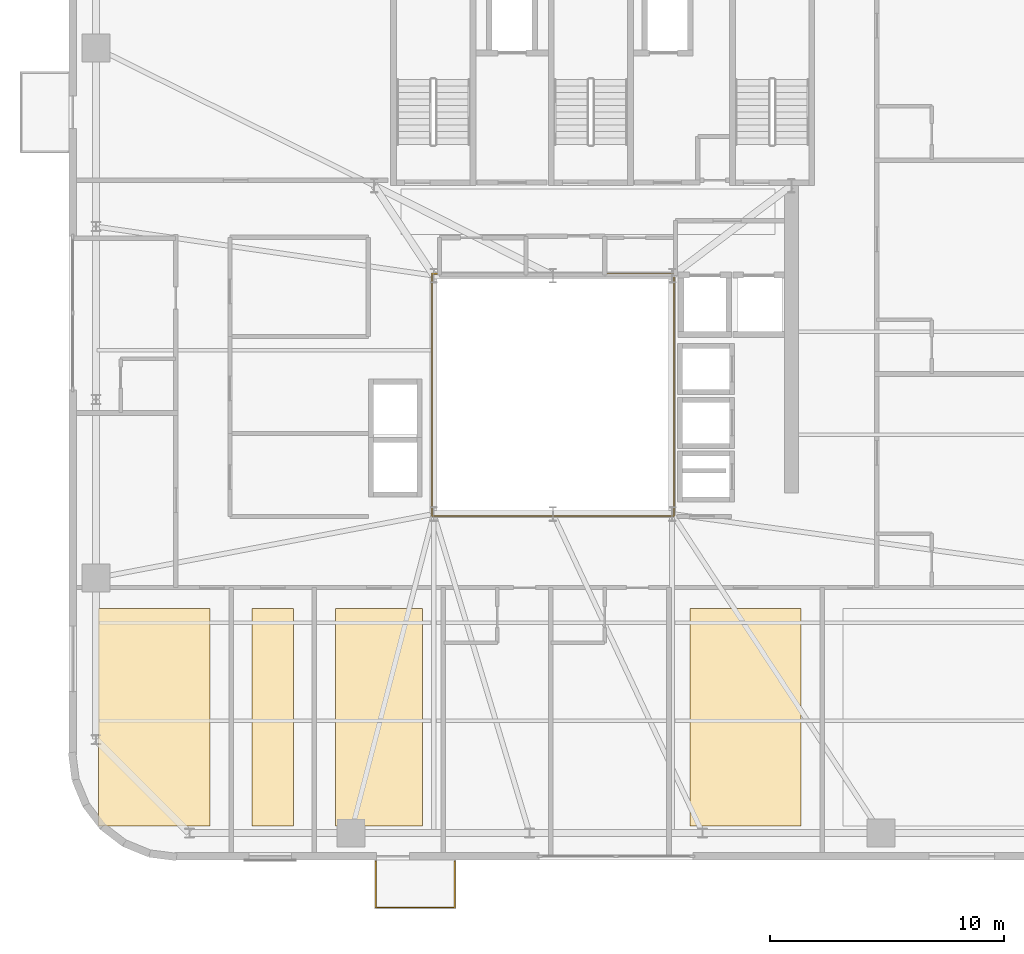
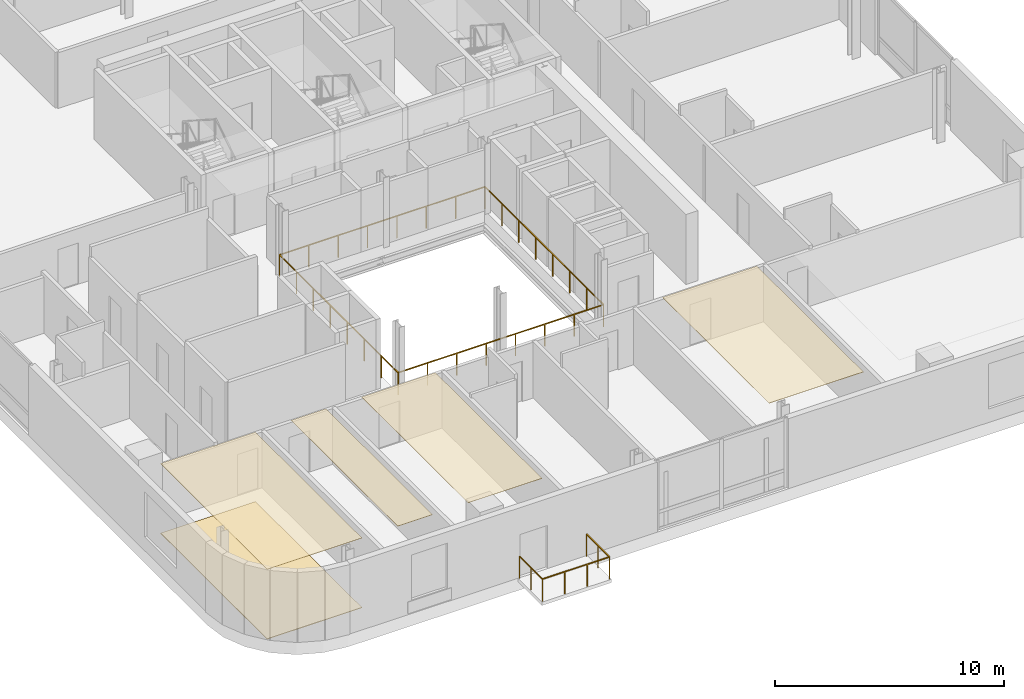
# One storey, part 12 of 15: 5 coverings, 2 railings.
"""IFC4 building model written with IfcOpenShell, lengths in metres."""

import ifcopenshell
import ifcopenshell.guid

model = None  # the IFC model being written
_history = None  # IfcOwnerHistory: only IFC2X3 demands one
_inside = {}  # id of a spatial element -> (the spatial element, [elements in it])
_under = {}  # id of a project, library or spatial element -> (it, [spatial elements below it])
_declared = {}  # id of a project -> (the project, [libraries it declares])
_typed = {}  # id of a type object -> (the type object, [elements of that type])
_made_of = {}  # id of a material, layer set ... -> (it, [elements and type objects made of it])


def new_model(schema):
    """Start an empty IFC model of exactly this schema.

    Asked for "IFC4X3", IfcOpenShell would pick the latest addendum, in which some entities
    have other attributes; the version numbers below select the first issue.
    IFC2X3 requires an IfcOwnerHistory on every rooted entity: one is made here for all.
    """
    global model, _history
    if schema == "IFC4X3":
        model = ifcopenshell.file(schema_version=(4, 3, 0, 0))
    else:
        model = ifcopenshell.file(schema=schema)
    _inside.clear()
    _under.clear()
    _declared.clear()
    _typed.clear()
    _made_of.clear()
    _history = None
    if model.schema == "IFC2X3":
        org = make("IfcOrganization", Name="unknown")
        user = make(
            "IfcPersonAndOrganization",
            ThePerson=make("IfcPerson", FamilyName="unknown"),
            TheOrganization=org,
        )
        app = make(
            "IfcApplication",
            ApplicationDeveloper=org,
            Version="unknown",
            ApplicationFullName="unknown",
            ApplicationIdentifier="unknown",
        )
        _history = make(
            "IfcOwnerHistory",
            OwningUser=user,
            OwningApplication=app,
            ChangeAction="ADDED",
            CreationDate=0,
        )
    return model


def make(cls, **values):
    """One entity of the class cls with the attributes given. An attribute that is None is left unset."""
    return model.create_entity(
        cls, **{name: value for name, value in values.items() if value is not None}
    )


def rooted(cls, **values):
    """An entity with a GlobalId (a new one), such as an element, a storey or a relation."""
    return make(cls, GlobalId=ifcopenshell.guid.new(), OwnerHistory=_history, **values)


def si_unit(unit_type, name, prefix=None):
    """IfcSIUnit, for example si_unit("LENGTHUNIT", "METRE", prefix="MILLI")."""
    return make("IfcSIUnit", UnitType=unit_type, Prefix=prefix, Name=name)


def assignment(units):
    """IfcUnitAssignment: the units of a project."""
    return None if units is None else make("IfcUnitAssignment", Units=units)


def point(xyz):
    """IfcCartesianPoint."""
    return None if xyz is None else make("IfcCartesianPoint", Coordinates=xyz)


def direction(xyz):
    """IfcDirection."""
    return None if xyz is None else make("IfcDirection", DirectionRatios=xyz)


def frame(location, z_axis=None, x_axis=None):
    """IfcAxis2Placement3D, a coordinate frame: its origin and axes. An axis left out is left unset."""
    return make(
        "IfcAxis2Placement3D",
        Location=point(location),
        Axis=direction(z_axis),
        RefDirection=direction(x_axis),
    )


def frame_2d(location, x_axis=None):
    """IfcAxis2Placement2D, a coordinate frame in the plane: its origin and x axis."""
    return make(
        "IfcAxis2Placement2D", Location=point(location), RefDirection=direction(x_axis)
    )


def origin():
    """The frame at (0, 0, 0) with its axes left unset."""
    return frame((0.0, 0.0, 0.0))


def origin_2d():
    """The frame at (0, 0) in the plane with its x axis left unset."""
    return frame_2d((0.0, 0.0))


def place(relative_to, where):
    """IfcLocalPlacement: puts the frame where relative to a parent placement (None: the world)."""
    return make(
        "IfcLocalPlacement", PlacementRelTo=relative_to, RelativePlacement=where
    )


def context(
    kind, dimensions, precision=None, world=None, true_north=None, identifier=None
):
    """IfcGeometricRepresentationContext, for example the 3D "Model" context."""
    return make(
        "IfcGeometricRepresentationContext",
        ContextIdentifier=identifier,
        ContextType=kind,
        CoordinateSpaceDimension=dimensions,
        Precision=precision,
        WorldCoordinateSystem=world,
        TrueNorth=true_north,
    )


def subcontext(parent, identifier, kind, view, scale=None):
    """IfcGeometricRepresentationSubContext, for example "Body" below "Model"."""
    return make(
        "IfcGeometricRepresentationSubContext",
        ContextIdentifier=identifier,
        ContextType=kind,
        ParentContext=parent,
        TargetScale=scale,
        TargetView=view,
    )


def project(units=None, contexts=None):
    """IfcProject with its units and contexts."""
    return rooted(
        "IfcProject",
        Name="project",
        RepresentationContexts=contexts,
        UnitsInContext=assignment(units),
    )


def spatial(cls, under=None, at=None, **own):
    """A site, building, storey or space (cls), placed at a placement, below another one or the project."""
    s = rooted(cls, ObjectPlacement=at, **own)
    if under is not None:
        _under.setdefault(under.id(), (under, []))[1].append(s)
    return s


def polyline(points):
    """IfcPolyline through the points."""
    return make("IfcPolyline", Points=[point(p) for p in points])


def profile(cls, at=None, kind="AREA", **sizes):
    """A parametric profile (cls). Its sizes go by their IFC names, for example OverallWidth=200.0."""
    return make(cls, ProfileType=kind, Position=at, **sizes)


def rectangle(**sizes):
    """IfcRectangleProfileDef."""
    return profile("IfcRectangleProfileDef", **sizes)


def outline(outer, holes=None, kind="AREA"):
    """IfcArbitraryClosedProfileDef: a profile drawn as a closed curve; with holes, ...WithVoids."""
    if holes is None:
        return make("IfcArbitraryClosedProfileDef", ProfileType=kind, OuterCurve=outer)
    return make(
        "IfcArbitraryProfileDefWithVoids",
        ProfileType=kind,
        OuterCurve=outer,
        InnerCurves=holes,
    )


def extrude(swept, where, along, depth):
    """IfcExtrudedAreaSolid: the profile swept, set in the frame where, extruded along a direction by depth."""
    return make(
        "IfcExtrudedAreaSolid",
        SweptArea=swept,
        Position=where,
        ExtrudedDirection=direction(along),
        Depth=depth,
    )


def shape(context_of_items, identifier, shape_type, items):
    """IfcShapeRepresentation: the items that make up one representation, for example the "Body"."""
    return make(
        "IfcShapeRepresentation",
        ContextOfItems=context_of_items,
        RepresentationIdentifier=identifier,
        RepresentationType=shape_type,
        Items=items,
    )


def source(mapping_origin, context_of_items, identifier, shape_type, items):
    """IfcRepresentationMap: a shape defined once, which mapped items show again and again."""
    return make(
        "IfcRepresentationMap",
        MappingOrigin=mapping_origin,
        MappedRepresentation=shape(context_of_items, identifier, shape_type, items),
    )


def transform(
    local_origin,
    x_axis=None,
    y_axis=None,
    z_axis=None,
    scale=None,
    scale2=None,
    scale3=None,
    uniform=True,
):
    """IfcCartesianTransformationOperator3D, or its non-uniform kind. x_axis, y_axis, z_axis: its Axis1, 2, 3."""
    if uniform:
        return make(
            "IfcCartesianTransformationOperator3D",
            Axis1=direction(x_axis),
            Axis2=direction(y_axis),
            LocalOrigin=point(local_origin),
            Scale=scale,
            Axis3=direction(z_axis),
        )
    return make(
        "IfcCartesianTransformationOperator3DnonUniform",
        Axis1=direction(x_axis),
        Axis2=direction(y_axis),
        LocalOrigin=point(local_origin),
        Scale=scale,
        Axis3=direction(z_axis),
        Scale2=scale2,
        Scale3=scale3,
    )


def mapped(mapping_source, mapping_target):
    """IfcMappedItem: shows the shape of a source again, moved by a transform."""
    return make(
        "IfcMappedItem", MappingSource=mapping_source, MappingTarget=mapping_target
    )


def material(Name=None, Category=None):
    """IfcMaterial."""
    return make("IfcMaterial", Name=Name, Category=Category)


def layer(
    of_material, thickness, ventilated=None, Name=None, Category=None, Priority=None
):
    """IfcMaterialLayer: one layer of a wall or slab, of a material (None: an air gap)."""
    return make(
        "IfcMaterialLayer",
        Material=of_material,
        LayerThickness=thickness,
        IsVentilated=ventilated,
        Name=Name,
        Category=Category,
        Priority=Priority,
    )


def layer_set(layers, Name=None):
    """IfcMaterialLayerSet."""
    return make("IfcMaterialLayerSet", MaterialLayers=layers, LayerSetName=Name)


def made_of(thing, what):
    """Note that an element or type object is made of a material, layer set ...; save() writes the relation."""
    if what is not None:
        _made_of.setdefault(what.id(), (what, []))[1].append(thing)
    return thing


def type_object(cls, material=None, **own):
    """A type object (cls), such as IfcWallType, which elements share."""
    return made_of(rooted(cls, **own), material)


def element(
    cls,
    number,
    at=None,
    inside=None,
    cuts=None,
    type_object=None,
    material=None,
    context=None,
    identifier="Body",
    shape_type=None,
    held_by="IfcProductDefinitionShape",
    body=None,
    shapes=None,
    **own,
):
    """One element of the class cls, such as IfcWall. Its Tag is "e" and its number.

    at: its placement. inside: the storey or other place that contains it. cuts: it is an
    opening in that element (IfcRelVoidsElement). A single representation is given by context,
    identifier, shape_type and body (its items); several are given by shapes. held_by: the class
    of the entity that holds the representations. save() writes the other relations.
    """
    e = rooted(cls, Tag="e%d" % number, ObjectPlacement=at, **own)
    if body is not None:
        shapes = [shape(context, identifier, shape_type, body)]
    if shapes is not None:
        e.Representation = make(held_by, Representations=shapes)
    if inside is not None:
        _inside.setdefault(inside.id(), (inside, []))[1].append(e)
    if cuts is not None:
        rooted(
            "IfcRelVoidsElement", RelatingBuildingElement=cuts, RelatedOpeningElement=e
        )
    if type_object is not None:
        _typed.setdefault(type_object.id(), (type_object, []))[1].append(e)
    return made_of(e, material)


def aggregate(whole, parts):
    """IfcRelAggregates: a whole, such as a stair, and the parts it consists of."""
    return rooted("IfcRelAggregates", RelatingObject=whole, RelatedObjects=parts)


def save(model, path):
    """Write the relations noted so far, then the file.

    IfcRelAggregates (storeys below a building ...), IfcRelContainedInSpatialStructure (elements
    in a storey), IfcRelDefinesByType, IfcRelAssociatesMaterial and IfcRelDeclares: one each for
    every whole, place, type object, material and project.
    """
    for whole, parts in _under.values():
        aggregate(whole, parts)
    for where, things in _inside.values():
        rooted(
            "IfcRelContainedInSpatialStructure",
            RelatedElements=things,
            RelatingStructure=where,
        )
    for kind, things in _typed.values():
        rooted("IfcRelDefinesByType", RelatedObjects=things, RelatingType=kind)
    for what, things in _made_of.values():
        rooted("IfcRelAssociatesMaterial", RelatedObjects=things, RelatingMaterial=what)
    for by, libraries in _declared.values():
        rooted("IfcRelDeclares", RelatingContext=by, RelatedDefinitions=libraries)
    model.write(path)


model = new_model("IFC4")

# Units and contexts
model_context = context("Model", 3, precision=1e-05, world=origin(), true_north=direction((0.0, 1.0)))
body_context = subcontext(model_context, "Body", "Model", "MODEL_VIEW")
ifc_project = project(units=[si_unit("LENGTHUNIT", "METRE"), si_unit("AREAUNIT", "SQUARE_METRE"), si_unit("VOLUMEUNIT", "CUBIC_METRE"), si_unit("PLANEANGLEUNIT", "RADIAN"), si_unit("MASSUNIT", "GRAM", prefix="KILO")], contexts=[model_context])

# Site, building, storey
site_placement = place(None, origin())
site = spatial("IfcSite", under=ifc_project, at=site_placement, CompositionType="ELEMENT")
building_placement = place(site_placement, origin())
building = spatial("IfcBuilding", under=site, at=building_placement, Name="Vardaveli Station Tower", CompositionType="ELEMENT")
storey_placement = place(building_placement, frame((0.0, 0.0, 242.699951171875)))
storey = spatial("IfcBuildingStorey", under=building, at=storey_placement, Name="L62", CompositionType="ELEMENT", Elevation=242.699951171875)

# Coverings
ifc_material_1 = material(Name="Perforated acoustic mineral ceiling")
ifc_layer_1 = layer(ifc_material_1, 0.02001953125, Name="Perforated acoustic mineral ceiling")
ifc_layer_set_1 = layer_set([ifc_layer_1], Name="Perforated acoustic mineral ceiling")
covering_type_1 = type_object("IfcCoveringType", Name="COV-CEIL-AC20", PredefinedType="CEILING", material=ifc_layer_set_1)
covering_1_placement = place(storey_placement, frame((0.0, 0.0, 3.715087890625)))
element("IfcCovering", 1, at=covering_1_placement, inside=storey, type_object=covering_type_1, Name="CEIL-L62-1", PredefinedType="CEILING", context=body_context, shape_type="SweptSolid", body=[
    extrude(outline(polyline([(16.85009765625, 3.25), (21.6357421875, 3.25), (21.6357421875, 12.550048828125), (16.85009765625, 12.550048828125), (16.85009765625, 3.25)])), origin(), (0.0, 0.0, 1.0), 0.02001953125),
])
covering_2_placement = place(storey_placement, frame((0.0, 0.0, 3.715087890625)))
element("IfcCovering", 2, at=covering_2_placement, inside=storey, type_object=covering_type_1, Name="CEIL-L62-2", PredefinedType="CEILING", context=body_context, shape_type="SweptSolid", body=[
    extrude(outline(polyline([(23.435791015625, 3.25), (25.192626953125, 3.25), (25.192626953125, 12.550048828125), (23.435791015625, 12.550048828125), (23.435791015625, 3.25)])), origin(), (0.0, 0.0, 1.0), 0.02001953125),
])
covering_3_placement = place(storey_placement, frame((0.0, 0.0, 3.715087890625)))
element("IfcCovering", 3, at=covering_3_placement, inside=storey, type_object=covering_type_1, Name="CEIL-L62-3", PredefinedType="CEILING", context=body_context, shape_type="SweptSolid", body=[
    extrude(outline(polyline([(26.99267578125, 3.25), (30.71044921875, 3.25), (30.71044921875, 12.550048828125), (26.99267578125, 12.550048828125), (26.99267578125, 3.25)])), origin(), (0.0, 0.0, 1.0), 0.02001953125),
])
covering_4_placement = place(storey_placement, frame((0.0, 0.0, 3.715087890625)))
element("IfcCovering", 4, at=covering_4_placement, inside=storey, type_object=covering_type_1, Name="CEIL-L62-4", PredefinedType="CEILING", context=body_context, shape_type="SweptSolid", body=[
    extrude(outline(polyline([(42.1630859375, 3.25), (46.919921875, 3.25), (46.919921875, 12.550048828125), (42.1630859375, 12.550048828125), (42.1630859375, 3.25)])), origin(), (0.0, 0.0, 1.0), 0.02001953125),
])
ifc_material_2 = material(Name="Honed Caucasian basalt and travertine flooring", Category="masonry")
ifc_layer_2 = layer(ifc_material_2, 0.030029296875, Name="Honed Caucasian basalt and travertine flooring")
ifc_layer_set_2 = layer_set([ifc_layer_2], Name="Honed Caucasian basalt and travertine flooring")
covering_type_2 = type_object("IfcCoveringType", Name="COV-FLOOR-ST30", PredefinedType="FLOORING", material=ifc_layer_set_2)
covering_5_placement = place(storey_placement, origin())
element("IfcCovering", 5, at=covering_5_placement, inside=storey, type_object=covering_type_2, Name="FLR-L62-1", PredefinedType="FLOORING", context=body_context, shape_type="SweptSolid", body=[
    extrude(outline(polyline([(16.85009765625, 3.25), (21.6357421875, 3.25), (21.6357421875, 12.550048828125), (16.85009765625, 12.550048828125), (16.85009765625, 3.25)])), origin(), (0.0, 0.0, 1.0), 0.030029296875),
])

# Railings
ifc_material_3 = material(Name="Laminated glass and stainless steel balustrade", Category="steel")
railing_type = type_object("IfcRailingType", Name="RL-BAL-1200", PredefinedType="BALUSTRADE", material=ifc_material_3)
shared_shape_1 = source(origin(), body_context, "Body", "SweptSolid", [
    extrude(rectangle(XDim=0.048095703125, YDim=0.048095703125, at=origin_2d()), frame((0.0, 0.0, 1.17578125), z_axis=(0.0, -1.0, 0.0), x_axis=(1.0, 0.0, 0.0)), (0.0, 0.0, 1.0), 2.0),
    extrude(rectangle(XDim=0.048095703125, YDim=0.048095703125, at=origin_2d()), frame((0.0, -2.0, 1.17578125), z_axis=(1.0, 0.0, 0.0), x_axis=(0.0, 1.0, 0.0)), (0.0, 0.0, 1.0), 3.3798828125),
    extrude(rectangle(XDim=0.048095703125, YDim=0.048095703125, at=origin_2d()), frame((3.3798828125, -2.0, 1.17578125), z_axis=(0.0, 1.0, 0.0), x_axis=(-1.0, 0.0, 0.0)), (0.0, 0.0, 1.0), 2.0),
    extrude(rectangle(XDim=0.0419921875, YDim=0.0419921875, at=origin_2d()), origin(), (0.0, 0.0, 1.0), 1.15185546875),
    extrude(rectangle(XDim=0.0419921875, YDim=0.0419921875, at=origin_2d()), frame((0.0, -1.0, 0.0)), (0.0, 0.0, 1.0), 1.15185546875),
    extrude(rectangle(XDim=0.0419921875, YDim=0.0419921875, at=origin_2d()), frame((0.0, -2.0, 0.0)), (0.0, 0.0, 1.0), 1.15185546875),
    extrude(rectangle(XDim=0.0419921875, YDim=0.0419921875, at=origin_2d()), frame((1.126708984375, -2.0, 0.0)), (0.0, 0.0, 1.0), 1.15185546875),
    extrude(rectangle(XDim=0.0419921875, YDim=0.0419921875, at=origin_2d()), frame((2.253173828125, -2.0, 0.0)), (0.0, 0.0, 1.0), 1.15185546875),
    extrude(rectangle(XDim=0.0419921875, YDim=0.0419921875, at=origin_2d()), frame((3.3798828125, -2.0, 0.0)), (0.0, 0.0, 1.0), 1.15185546875),
    extrude(rectangle(XDim=0.0419921875, YDim=0.0419921875, at=origin_2d()), frame((3.3798828125, -1.0, 0.0)), (0.0, 0.0, 1.0), 1.15185546875),
    extrude(rectangle(XDim=0.0419921875, YDim=0.0419921875, at=origin_2d()), frame((3.3798828125, 0.0, 0.0)), (0.0, 0.0, 1.0), 1.15185546875),
])
railing_1_placement = place(storey_placement, frame((28.720458984375, 1.760009765625, 0.0)))
element("IfcRailing", 6, at=railing_1_placement, inside=storey, type_object=railing_type, Name="RL-LOG-L62-01", PredefinedType="BALUSTRADE", context=body_context, shape_type="MappedRepresentation", body=[
    mapped(shared_shape_1, transform((0.0, 0.0, 0.0), scale=1.0)),
])
shared_shape_2 = source(origin(), body_context, "Body", "SweptSolid", [
    extrude(rectangle(XDim=0.048095703125, YDim=0.048095703125, at=origin_2d()), frame((0.0, 0.0, 1.17578125), z_axis=(1.0, 0.0, 0.0), x_axis=(0.0, 1.0, 0.0)), (0.0, 0.0, 1.0), 10.35986328125),
    extrude(rectangle(XDim=0.048095703125, YDim=0.048095703125, at=origin_2d()), frame((10.35986328125, 0.0, 1.17578125), z_axis=(0.0, 1.0, 0.0), x_axis=(-1.0, 0.0, 0.0)), (0.0, 0.0, 1.0), 10.35986328125),
    extrude(rectangle(XDim=0.048095703125, YDim=0.048095703125, at=origin_2d()), frame((10.35986328125, 10.35986328125, 1.17578125), z_axis=(-1.0, 0.0, 0.0), x_axis=(0.0, -1.0, 0.0)), (0.0, 0.0, 1.0), 10.35986328125),
    extrude(rectangle(XDim=0.048095703125, YDim=0.048095703125, at=origin_2d()), frame((0.0, 10.35986328125, 1.17578125), z_axis=(0.0, -1.0, 0.0), x_axis=(1.0, 0.0, 0.0)), (0.0, 0.0, 1.0), 10.35986328125),
    extrude(rectangle(XDim=0.0419921875, YDim=0.0419921875, at=origin_2d()), origin(), (0.0, 0.0, 1.0), 1.15185546875),
    extrude(rectangle(XDim=0.0419921875, YDim=0.0419921875, at=origin_2d()), frame((1.47998046875, 0.0, 0.0)), (0.0, 0.0, 1.0), 1.15185546875),
    extrude(rectangle(XDim=0.0419921875, YDim=0.0419921875, at=origin_2d()), frame((2.9599609375, 0.0, 0.0)), (0.0, 0.0, 1.0), 1.15185546875),
    extrude(rectangle(XDim=0.0419921875, YDim=0.0419921875, at=origin_2d()), frame((4.43994140625, 0.0, 0.0)), (0.0, 0.0, 1.0), 1.15185546875),
    extrude(rectangle(XDim=0.0419921875, YDim=0.0419921875, at=origin_2d()), frame((5.919921875, 0.0, 0.0)), (0.0, 0.0, 1.0), 1.15185546875),
    extrude(rectangle(XDim=0.0419921875, YDim=0.0419921875, at=origin_2d()), frame((7.39990234375, 0.0, 0.0)), (0.0, 0.0, 1.0), 1.15185546875),
    extrude(rectangle(XDim=0.0419921875, YDim=0.0419921875, at=origin_2d()), frame((8.8798828125, 0.0, 0.0)), (0.0, 0.0, 1.0), 1.15185546875),
    extrude(rectangle(XDim=0.0419921875, YDim=0.0419921875, at=origin_2d()), frame((10.35986328125, 0.0, 0.0)), (0.0, 0.0, 1.0), 1.15185546875),
    extrude(rectangle(XDim=0.0419921875, YDim=0.0419921875, at=origin_2d()), frame((10.35986328125, 1.47998046875, 0.0)), (0.0, 0.0, 1.0), 1.15185546875),
    extrude(rectangle(XDim=0.0419921875, YDim=0.0419921875, at=origin_2d()), frame((10.35986328125, 2.9599609375, 0.0)), (0.0, 0.0, 1.0), 1.15185546875),
    extrude(rectangle(XDim=0.0419921875, YDim=0.0419921875, at=origin_2d()), frame((10.35986328125, 4.43994140625, 0.0)), (0.0, 0.0, 1.0), 1.15185546875),
    extrude(rectangle(XDim=0.0419921875, YDim=0.0419921875, at=origin_2d()), frame((10.35986328125, 5.919921875, 0.0)), (0.0, 0.0, 1.0), 1.15185546875),
    extrude(rectangle(XDim=0.0419921875, YDim=0.0419921875, at=origin_2d()), frame((10.35986328125, 7.39990234375, 0.0)), (0.0, 0.0, 1.0), 1.15185546875),
    extrude(rectangle(XDim=0.0419921875, YDim=0.0419921875, at=origin_2d()), frame((10.35986328125, 8.8798828125, 0.0)), (0.0, 0.0, 1.0), 1.15185546875),
    extrude(rectangle(XDim=0.0419921875, YDim=0.0419921875, at=origin_2d()), frame((10.35986328125, 10.35986328125, 0.0)), (0.0, 0.0, 1.0), 1.15185546875),
    extrude(rectangle(XDim=0.0419921875, YDim=0.0419921875, at=origin_2d()), frame((8.8798828125, 10.35986328125, 0.0)), (0.0, 0.0, 1.0), 1.15185546875),
    extrude(rectangle(XDim=0.0419921875, YDim=0.0419921875, at=origin_2d()), frame((7.39990234375, 10.35986328125, 0.0)), (0.0, 0.0, 1.0), 1.15185546875),
    extrude(rectangle(XDim=0.0419921875, YDim=0.0419921875, at=origin_2d()), frame((5.919921875, 10.35986328125, 0.0)), (0.0, 0.0, 1.0), 1.15185546875),
    extrude(rectangle(XDim=0.0419921875, YDim=0.0419921875, at=origin_2d()), frame((4.43994140625, 10.35986328125, 0.0)), (0.0, 0.0, 1.0), 1.15185546875),
    extrude(rectangle(XDim=0.0419921875, YDim=0.0419921875, at=origin_2d()), frame((2.9599609375, 10.35986328125, 0.0)), (0.0, 0.0, 1.0), 1.15185546875),
    extrude(rectangle(XDim=0.0419921875, YDim=0.0419921875, at=origin_2d()), frame((1.47998046875, 10.35986328125, 0.0)), (0.0, 0.0, 1.0), 1.15185546875),
    extrude(rectangle(XDim=0.0419921875, YDim=0.0419921875, at=origin_2d()), frame((0.0, 10.35986328125, 0.0)), (0.0, 0.0, 1.0), 1.15185546875),
    extrude(rectangle(XDim=0.0419921875, YDim=0.0419921875, at=origin_2d()), frame((0.0, 8.8798828125, 0.0)), (0.0, 0.0, 1.0), 1.15185546875),
    extrude(rectangle(XDim=0.0419921875, YDim=0.0419921875, at=origin_2d()), frame((0.0, 7.39990234375, 0.0)), (0.0, 0.0, 1.0), 1.15185546875),
    extrude(rectangle(XDim=0.0419921875, YDim=0.0419921875, at=origin_2d()), frame((0.0, 5.919921875, 0.0)), (0.0, 0.0, 1.0), 1.15185546875),
    extrude(rectangle(XDim=0.0419921875, YDim=0.0419921875, at=origin_2d()), frame((0.0, 4.43994140625, 0.0)), (0.0, 0.0, 1.0), 1.15185546875),
    extrude(rectangle(XDim=0.0419921875, YDim=0.0419921875, at=origin_2d()), frame((0.0, 2.9599609375, 0.0)), (0.0, 0.0, 1.0), 1.15185546875),
    extrude(rectangle(XDim=0.0419921875, YDim=0.0419921875, at=origin_2d()), frame((0.0, 1.47998046875, 0.0)), (0.0, 0.0, 1.0), 1.15185546875),
])
railing_2_placement = place(storey_placement, frame((31.1201171875, 16.52001953125, 0.0)))
element("IfcRailing", 7, at=railing_2_placement, inside=storey, type_object=railing_type, Name="RL-ATR-L62", PredefinedType="BALUSTRADE", context=body_context, shape_type="MappedRepresentation", body=[
    mapped(shared_shape_2, transform((0.0, 0.0, 0.0), scale=1.0)),
])

save(model, "model.ifc")
